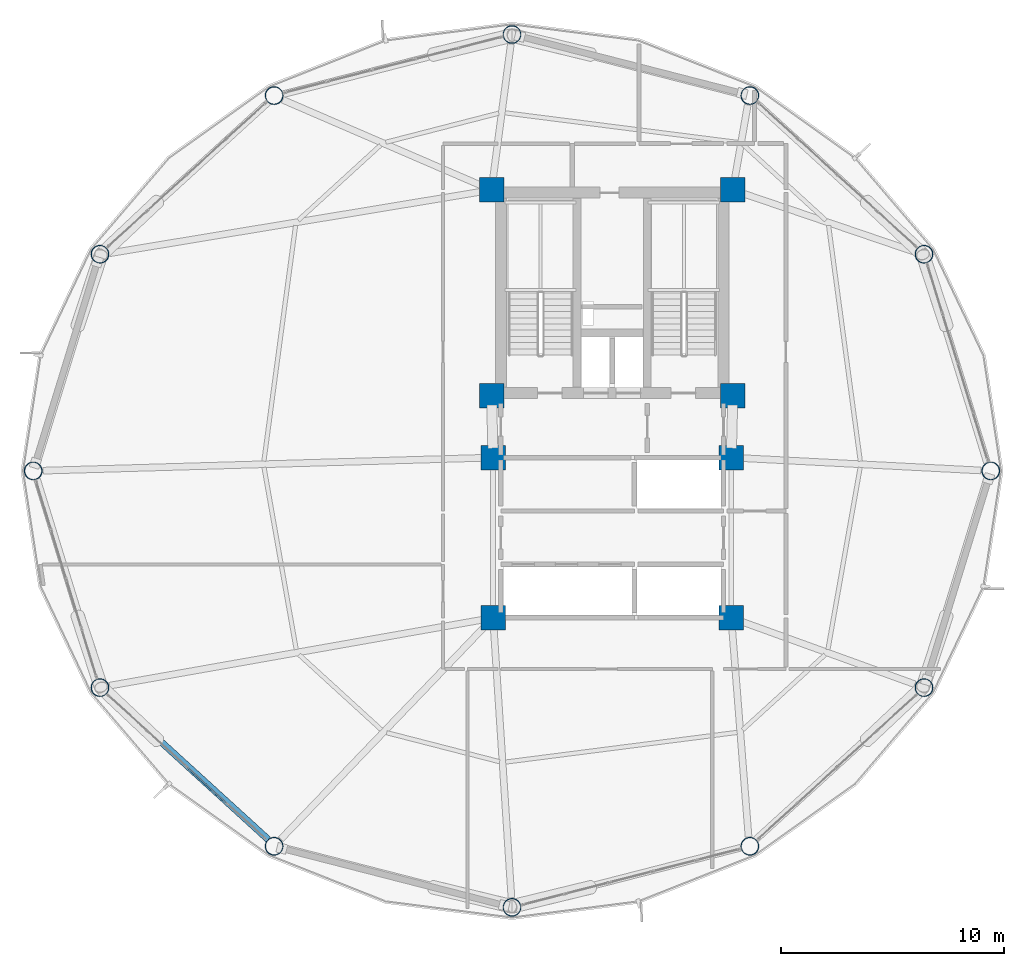
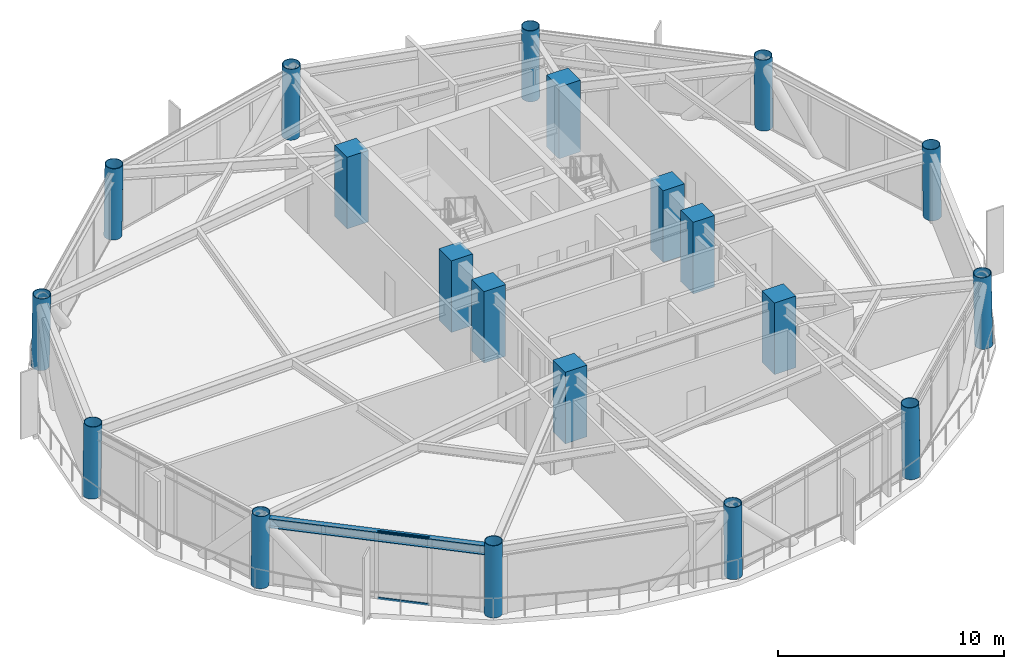
# One storey, part 1 of 23: 20 columns, 2 members, 1 beam, 1 element without a shape of its own.
"""IFC4 building model written with IfcOpenShell, lengths in metres."""

from ifc_helpers import new_model, si_unit, direction, frame, origin, origin_2d, place, context, subcontext, project, spatial, rectangle, hollow_rectangle, hollow_circle, i_section, extrude, material, layer, layer_set, material_profile, profile_set, type_object, element, aggregate, save


model = new_model("IFC4")

# Units and contexts
model_context = context("Model", 3, precision=1e-05, world=origin(), true_north=direction((0.0, 1.0)))
body_context = subcontext(model_context, "Body", "Model", "MODEL_VIEW")
ifc_project = project(units=[si_unit("LENGTHUNIT", "METRE"), si_unit("AREAUNIT", "SQUARE_METRE"), si_unit("VOLUMEUNIT", "CUBIC_METRE"), si_unit("PLANEANGLEUNIT", "RADIAN"), si_unit("MASSUNIT", "GRAM", prefix="KILO")], contexts=[model_context])

# Site, building, storey
site_placement = place(None, origin())
site = spatial("IfcSite", under=ifc_project, at=site_placement, CompositionType="ELEMENT")
building_placement = place(site_placement, origin())
building = spatial("IfcBuilding", under=site, at=building_placement, Name="Varnakorn Sky Granary", CompositionType="ELEMENT")
storey_placement = place(building_placement, frame((0.0, 0.0, 107.10009765625)))
storey = spatial("IfcBuildingStorey", under=building, at=storey_placement, Name="L26", CompositionType="ELEMENT", Elevation=107.10009765625)

# Columns
ifc_material_1 = material(Name="Steel S460M", Category="steel")
ifc_material_profile_1 = material_profile(ifc_material_1, hollow_circle(Radius=0.406494140625, WallThickness=0.030029296875, at=origin_2d()), Name="CHS 813x30")
ifc_profile_set_1 = profile_set([ifc_material_profile_1], Name="Steel S460M")
column_type_1 = type_object("IfcColumnType", Name="COL-DC-Z2", PredefinedType="COLUMN", material=ifc_profile_set_1)
for number, where, z_axis, x_axis, name in (
    (1, (20.01708984375, 0.0, 0.0), (-0.017323508859, 0.0, 0.999849936761), (0.0, -1.0, 0.0), "Drum Perimeter Column DC01 L26"),
    (2, (17.017333984375, 9.738525390625, 0.0), (-0.014992988439, -0.006173583475, 0.999868539941), (0.380749805254, -0.924678098475, 0.0), "Drum Perimeter Column DC02 L26"),
    (3, (9.19091796875, 16.86767578125, 0.0), (-0.008630730053, -0.010772663059, 0.999904725576), (0.780423354579, -0.625251459517, 0.0), "Drum Perimeter Column DC03 L26"),
):
    element("IfcColumn", number, at=place(storey_placement, frame(where, z_axis=z_axis, x_axis=x_axis)), inside=storey, type_object=column_type_1, Name=name, PredefinedType="COLUMN", context=body_context, shape_type="SweptSolid", body=[
        extrude(hollow_circle(Radius=0.406494140625, WallThickness=0.030029296875, at=origin_2d()), origin(), (0.0, 0.0, 1.0), 3.87548828125),
    ])
column_1_placement = place(storey_placement, frame((-1.5, 19.612060546875, 0.0), z_axis=(0.0, -0.01241083843, 0.999922982579), x_axis=(1.0, 0.0, 0.0)))
element("IfcColumn", 4, at=column_1_placement, inside=storey, type_object=column_type_1, Name="Drum Perimeter Column DC04 L26", PredefinedType="COLUMN", context=body_context, shape_type="SweptSolid", body=[
    extrude(hollow_circle(Radius=0.406494140625, WallThickness=0.030029296875, at=origin_2d()), origin(), (0.0, 0.0, 1.0), 3.875244140625),
])
for number, where, z_axis, x_axis, name in (
    (5, (-12.19091796875, 16.86767578125, 0.0), (0.008630730053, -0.010772663059, 0.999904725576), (0.780423354579, 0.625251459517, 0.0), "Drum Perimeter Column DC05 L26"),
    (6, (-20.017333984375, 9.738525390625, 0.0), (0.014992988439, -0.006173583475, 0.999868539941), (0.380749805254, 0.924678098475, 0.0), "Drum Perimeter Column DC06 L26"),
    (7, (-23.01708984375, 0.0, 0.0), (0.017323508859, 0.0, 0.999849936761), (0.0, 1.0, 0.0), "Drum Perimeter Column DC07 L26"),
    (8, (-20.017333984375, -9.738525390625, 0.0), (0.014992988439, 0.006173583475, 0.999868539941), (-0.380749805254, 0.924678098475, 0.0), "Drum Perimeter Column DC08 L26"),
    (9, (-12.19091796875, -16.86767578125, 0.0), (0.008630730053, 0.010772663059, 0.999904725576), (-0.780423354579, 0.625251459517, 0.0), "Drum Perimeter Column DC09 L26"),
):
    element("IfcColumn", number, at=place(storey_placement, frame(where, z_axis=z_axis, x_axis=x_axis)), inside=storey, type_object=column_type_1, Name=name, PredefinedType="COLUMN", context=body_context, shape_type="SweptSolid", body=[
        extrude(hollow_circle(Radius=0.406494140625, WallThickness=0.030029296875, at=origin_2d()), origin(), (0.0, 0.0, 1.0), 3.87548828125),
    ])
column_2_placement = place(storey_placement, frame((-1.5, -19.612060546875, 0.0), z_axis=(0.0, 0.01241083843, 0.999922982579), x_axis=(-1.0, 0.0, 0.0)))
element("IfcColumn", 10, at=column_2_placement, inside=storey, type_object=column_type_1, Name="Drum Perimeter Column DC10 L26", PredefinedType="COLUMN", context=body_context, shape_type="SweptSolid", body=[
    extrude(hollow_circle(Radius=0.406494140625, WallThickness=0.030029296875, at=origin_2d()), origin(), (0.0, 0.0, 1.0), 3.875244140625),
])
for number, where, z_axis, x_axis, name in (
    (11, (9.19091796875, -16.86767578125, 0.0), (-0.008630730053, 0.010772663059, 0.999904725576), (-0.780423354579, -0.625251459517, 0.0), "Drum Perimeter Column DC11 L26"),
    (12, (17.017333984375, -9.738525390625, 0.0), (-0.014992988439, 0.006173583475, 0.999868539941), (-0.380749805254, -0.924678098475, 0.0), "Drum Perimeter Column DC12 L26"),
):
    element("IfcColumn", number, at=place(storey_placement, frame(where, z_axis=z_axis, x_axis=x_axis)), inside=storey, type_object=column_type_1, Name=name, PredefinedType="COLUMN", context=body_context, shape_type="SweptSolid", body=[
        extrude(hollow_circle(Radius=0.406494140625, WallThickness=0.030029296875, at=origin_2d()), origin(), (0.0, 0.0, 1.0), 3.87548828125),
    ])
ifc_material_2 = material(Name="Concrete C60/75", Category="concrete")
ifc_material_profile_2 = material_profile(ifc_material_2, rectangle(XDim=1.10009765625, YDim=1.10009765625, at=origin_2d()), Name="RC 1100x1100")
ifc_profile_set_2 = profile_set([ifc_material_profile_2], Name="Concrete C60/75")
column_type_2 = type_object("IfcColumnType", Name="COL-MC-Z2", PredefinedType="COLUMN", material=ifc_profile_set_2)
for number, where, z_axis, x_axis, name in (
    (13, (-2.419921875, 12.6201171875, 0.0), (0.0, 0.0, 1.0), (1.0, 0.0, 0.0), "Backbone Mega-Column MC1 L26"),
    (14, (8.419921875, 12.6201171875, 0.0), (0.0, 0.0, 1.0), (1.0, 0.0, 0.0), "Backbone Mega-Column MC2 L26"),
    (15, (-2.419921875, 3.3798828125, 0.0), (0.0, 0.0, 1.0), (1.0, 0.0, 0.0), "Backbone Mega-Column MC3 L26"),
    (16, (8.419921875, 3.3798828125, 0.0), (0.0, 0.0, 1.0), (1.0, 0.0, 0.0), "Backbone Mega-Column MC4 L26"),
    (17, (-2.35009765625, 0.60009765625, 0.0), (0.0, 0.0, 1.0), (1.0, 0.0, 0.0), "Backbone Mega-Column MC5 L26"),
    (18, (8.35009765625, 0.60009765625, 0.0), (0.0, 0.0, 1.0), (1.0, 0.0, 0.0), "Backbone Mega-Column MC6 L26"),
    (19, (-2.35009765625, -6.60009765625, 0.0), (0.0, 0.0, 1.0), (1.0, 0.0, 0.0), "Backbone Mega-Column MC7 L26"),
    (20, (8.35009765625, -6.60009765625, 0.0), (0.0, 0.0, 1.0), (1.0, 0.0, 0.0), "Backbone Mega-Column MC8 L26"),
):
    element("IfcColumn", number, at=place(storey_placement, frame(where, z_axis=z_axis, x_axis=x_axis)), inside=storey, type_object=column_type_2, Name=name, PredefinedType="COLUMN", context=body_context, shape_type="SweptSolid", body=[
        extrude(rectangle(XDim=1.10009765625, YDim=1.10009765625, at=origin_2d()), origin(), (0.0, 0.0, 1.0), 3.875),
    ])

# Beam
ifc_material_3 = material(Name="Steel S355JR", Category="steel")
ifc_material_profile_3 = material_profile(ifc_material_3, i_section(OverallWidth=0.300048828125, OverallDepth=0.5, WebThickness=0.014404296875, FlangeThickness=0.028076171875, at=origin_2d()), Name="HE 500 B")
ifc_profile_set_3 = profile_set([ifc_material_profile_3], Name="Steel S355JR")
beam_type = type_object("IfcBeamType", Name="BM-SPD-Z2", PredefinedType="SPANDREL", material=ifc_profile_set_3)
beam_placement = place(storey_placement, frame((-19.669921875, -9.978271484375, 3.389892578125), z_axis=(0.739048746657, -0.673651950242, 0.0), x_axis=(0.673651950242, 0.739048746657, 0.0)))
element("IfcBeam", 21, at=beam_placement, inside=storey, type_object=beam_type, Name="Perimeter Spandrel Ring Beam RB08 L26", PredefinedType="SPANDREL", context=body_context, shape_type="SweptSolid", body=[
    extrude(i_section(OverallWidth=0.300048828125, OverallDepth=0.5, WebThickness=0.014404296875, FlangeThickness=0.028076171875, at=origin_2d()), origin(), (0.0, 0.0, 1.0), 9.773681640625),
])

# Curtain wall, members
ifc_material_4 = material(Name="Anodised Bronze Aluminium Alloy 6063-T6", Category="aluminium")
ifc_layer = layer(ifc_material_4, 0.179931640625, Name="Anodised Bronze Aluminium Alloy 6063-T6")
ifc_layer_set = layer_set([ifc_layer], Name="Anodised Bronze Aluminium Alloy 6063-T6")
curtain_wall_type = type_object("IfcCurtainWallType", Name="CW-FRM-2", PredefinedType="USERDEFINED", material=ifc_layer_set)
curtain_wall_placement = place(storey_placement, origin())
curtain_wall = element("IfcCurtainWall", 22, at=curtain_wall_placement, inside=storey, type_object=curtain_wall_type, Name="Unitised Curtain Wall CW4 CW-L26-B08", ObjectType="CURTAIN WALL", PredefinedType="USERDEFINED")
ifc_material_profile_4 = material_profile(ifc_material_4, hollow_rectangle(XDim=0.06494140625, YDim=0.1201171875, WallThickness=0.00341796875, at=origin_2d()), Name="ALU TRAN 65x120")
ifc_profile_set_4 = profile_set([ifc_material_profile_4], Name="Anodised Bronze Aluminium Alloy 6063-T6")
member_type = type_object("IfcMemberType", Name="CW-FRM-2-TRAN", PredefinedType="USERDEFINED", material=ifc_profile_set_4)
member_1_placement = place(storey_placement, frame((-14.345947265625, -14.90478515625, 0.032470703125), z_axis=(-0.739260877094, 0.673419152978, 0.0), x_axis=(-0.673419152978, -0.739260877094, 0.0)))
member_1 = element("IfcMember", 23, at=member_1_placement, type_object=member_type, Name="CW4 transom 2.1", ObjectType="TRANSOM", PredefinedType="USERDEFINED", context=body_context, shape_type="SweptSolid", body=[
    extrude(hollow_rectangle(XDim=0.06494140625, YDim=0.1201171875, WallThickness=0.00341796875, at=origin_2d()), origin(), (0.0, 0.0, 1.0), 2.343505859375),
])
member_2_placement = place(storey_placement, frame((-14.345947265625, -14.90478515625, 3.607421875), z_axis=(-0.739260877094, 0.673419152978, 0.0), x_axis=(-0.673419152978, -0.739260877094, 0.0)))
member_2 = element("IfcMember", 24, at=member_2_placement, type_object=member_type, Name="CW4 transom 2.2", ObjectType="TRANSOM", PredefinedType="USERDEFINED", context=body_context, shape_type="SweptSolid", body=[
    extrude(hollow_rectangle(XDim=0.06494140625, YDim=0.1201171875, WallThickness=0.00341796875, at=origin_2d()), origin(), (0.0, 0.0, 1.0), 2.343505859375),
])
aggregate(curtain_wall, [member_1, member_2])

save(model, "model.ifc")
